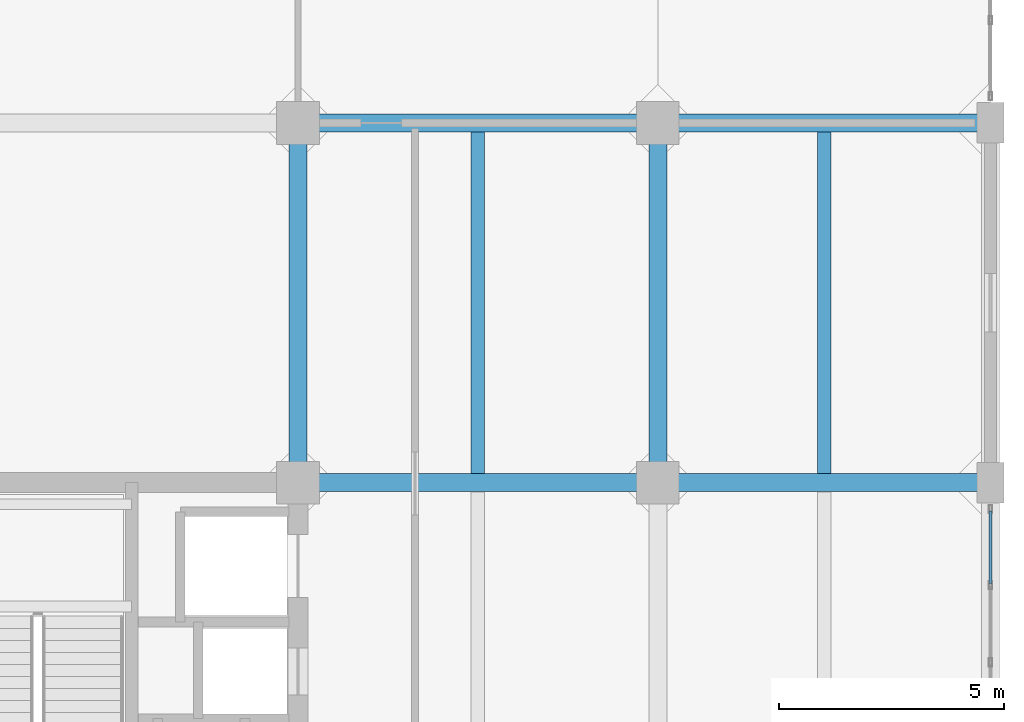
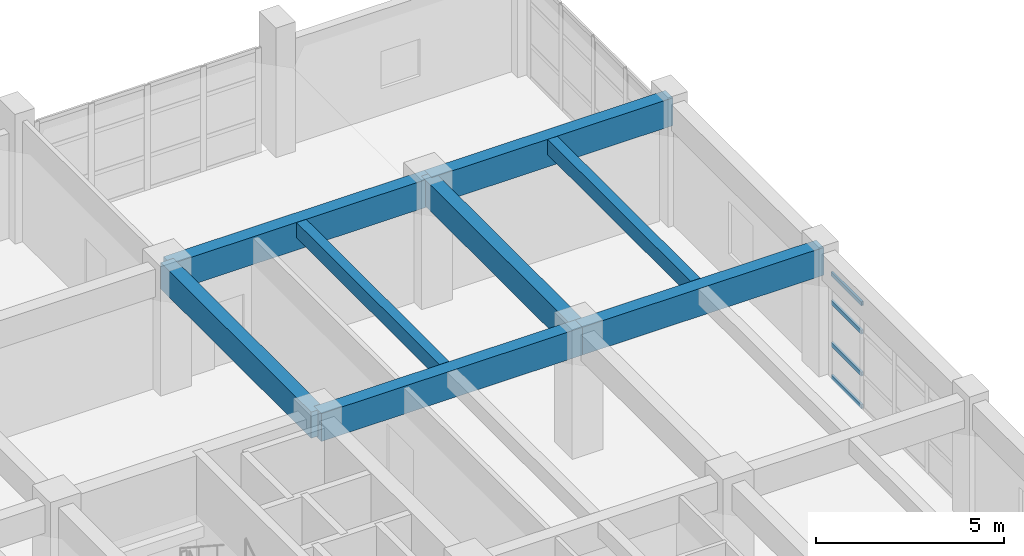
# One storey, part 18 of 35: 8 beams, 4 members, 1 element without a shape of its own.
"""IFC4 building model written with IfcOpenShell, lengths in metres."""

from ifc_helpers import new_model, si_unit, direction, frame, origin, origin_2d, place, context, subcontext, project, spatial, rectangle, hollow_rectangle, extrude, material, layer, layer_set, material_profile, profile_set, type_object, element, aggregate, save


model = new_model("IFC4")

# Units and contexts
model_context = context("Model", 3, precision=1e-05, world=origin(), true_north=direction((0.0, 1.0)))
body_context = subcontext(model_context, "Body", "Model", "MODEL_VIEW")
ifc_project = project(units=[si_unit("LENGTHUNIT", "METRE"), si_unit("AREAUNIT", "SQUARE_METRE"), si_unit("VOLUMEUNIT", "CUBIC_METRE"), si_unit("PLANEANGLEUNIT", "RADIAN"), si_unit("MASSUNIT", "GRAM", prefix="KILO")], contexts=[model_context])

# Site, building, storey
site_placement = place(None, origin())
site = spatial("IfcSite", under=ifc_project, at=site_placement, CompositionType="ELEMENT")
building_placement = place(site_placement, origin())
building = spatial("IfcBuilding", under=site, at=building_placement, Name="Canggui Botanical Conservatory", CompositionType="ELEMENT")
storey_placement = place(building_placement, frame((0.0, 0.0, 15.0)))
storey = spatial("IfcBuildingStorey", under=building, at=storey_placement, Name="L04", CompositionType="ELEMENT", Elevation=15.0)

# Beams
ifc_material_1 = material(Name="Concrete C35", Category="concrete")
ifc_material_profile_1 = material_profile(ifc_material_1, rectangle(XDim=0.300048828125, YDim=0.5, at=origin_2d()), Name="RB 300x500")
ifc_profile_set_1 = profile_set([ifc_material_profile_1], Name="Concrete C35")
beam_type_1 = type_object("IfcBeamType", Name="BM-JST02", PredefinedType="JOIST", material=ifc_profile_set_1)
for number, where, z_axis, x_axis, name in (
    (1, (166.0, 66.205078125, 3.699951171875), (0.0, 1.0, 0.0), (-1.0, 0.0, 0.0), "Secondary Floor Joist L04-4-6"),
    (2, (173.699951171875, 66.205078125, 3.699951171875), (0.0, 1.0, 0.0), (-1.0, 0.0, 0.0), "Secondary Floor Joist L04-5-6"),
):
    element("IfcBeam", number, at=place(storey_placement, frame(where, z_axis=z_axis, x_axis=x_axis)), inside=storey, type_object=beam_type_1, Name=name, PredefinedType="JOIST", context=body_context, shape_type="SweptSolid", body=[
        extrude(rectangle(XDim=0.300048828125, YDim=0.5, at=origin_2d()), origin(), (0.0, 0.0, 1.0), 7.58984375),
    ])
ifc_material_profile_2 = material_profile(ifc_material_1, rectangle(XDim=0.39990234375, YDim=0.89990234375, at=origin_2d()), Name="RB 400x900")
ifc_profile_set_2 = profile_set([ifc_material_profile_2], Name="Concrete C35")
beam_type_2 = type_object("IfcBeamType", Name="BM-KL07", PredefinedType="BEAM", material=ifc_profile_set_2)
beam_1_placement = place(storey_placement, frame((162.0, 66.0, 3.5), z_axis=(1.0, 0.0, 0.0), x_axis=(0.0, 1.0, 0.0)))
element("IfcBeam", 3, at=beam_1_placement, inside=storey, type_object=beam_type_2, Name="Frame Girder L04 Y66-4", PredefinedType="BEAM", context=body_context, shape_type="SweptSolid", body=[
    extrude(rectangle(XDim=0.39990234375, YDim=0.89990234375, at=origin_2d()), origin(), (0.0, 0.0, 1.0), 8.0),
])
beam_2_placement = place(storey_placement, frame((170.0, 66.0, 3.5), z_axis=(1.0, 0.0, 0.0), x_axis=(0.0, 1.0, 0.0)))
element("IfcBeam", 4, at=beam_2_placement, inside=storey, type_object=beam_type_2, Name="Frame Girder L04 Y66-5", PredefinedType="BEAM", context=body_context, shape_type="SweptSolid", body=[
    extrude(rectangle(XDim=0.39990234375, YDim=0.89990234375, at=origin_2d()), origin(), (0.0, 0.0, 1.0), 7.39990234375),
])
beam_3_placement = place(storey_placement, frame((162.0, 74.0, 3.5), z_axis=(1.0, 0.0, 0.0), x_axis=(0.0, 1.0, 0.0)))
element("IfcBeam", 5, at=beam_3_placement, inside=storey, type_object=beam_type_2, Name="Frame Girder L04 Y74-4", PredefinedType="BEAM", context=body_context, shape_type="SweptSolid", body=[
    extrude(rectangle(XDim=0.39990234375, YDim=0.89990234375, at=origin_2d()), origin(), (0.0, 0.0, 1.0), 8.0),
])
beam_4_placement = place(storey_placement, frame((170.0, 74.0, 3.5), z_axis=(1.0, 0.0, 0.0), x_axis=(0.0, 1.0, 0.0)))
element("IfcBeam", 6, at=beam_4_placement, inside=storey, type_object=beam_type_2, Name="Frame Girder L04 Y74-5", PredefinedType="BEAM", context=body_context, shape_type="SweptSolid", body=[
    extrude(rectangle(XDim=0.39990234375, YDim=0.89990234375, at=origin_2d()), origin(), (0.0, 0.0, 1.0), 7.39990234375),
])
ifc_material_profile_3 = material_profile(ifc_material_1, rectangle(XDim=0.39990234375, YDim=0.85009765625, at=origin_2d()), Name="RB 400x850")
ifc_profile_set_3 = profile_set([ifc_material_profile_3], Name="Concrete C35")
beam_type_3 = type_object("IfcBeamType", Name="BM-KL08", PredefinedType="BEAM", material=ifc_profile_set_3)
for number, where, z_axis, x_axis, name in (
    (7, (162.0, 66.0, 3.52490234375), (0.0, 1.0, 0.0), (-1.0, 0.0, 0.0), "Frame Girder L04 X162-6"),
    (8, (170.0, 66.0, 3.52490234375), (0.0, 1.0, 0.0), (-1.0, 0.0, 0.0), "Frame Girder L04 X170-6"),
):
    element("IfcBeam", number, at=place(storey_placement, frame(where, z_axis=z_axis, x_axis=x_axis)), inside=storey, type_object=beam_type_3, Name=name, PredefinedType="BEAM", context=body_context, shape_type="SweptSolid", body=[
        extrude(rectangle(XDim=0.39990234375, YDim=0.85009765625, at=origin_2d()), origin(), (0.0, 0.0, 1.0), 8.0),
    ])

# Curtain wall, members
ifc_material_2 = material(Name="Thermally Broken Aluminium", Category="aluminium")
ifc_layer = layer(ifc_material_2, 0.179931640625, Name="Thermally Broken Aluminium", Category="aluminium")
ifc_layer_set = layer_set([ifc_layer], Name="Thermally Broken Aluminium")
curtain_wall_type = type_object("IfcCurtainWallType", Name="CW-UNIT-A", PredefinedType="USERDEFINED", material=ifc_layer_set)
curtain_wall_placement = place(storey_placement, origin())
curtain_wall = element("IfcCurtainWall", 9, at=curtain_wall_placement, inside=storey, type_object=curtain_wall_type, Name="Facade Curtain Wall CW-TWR-L04-20", ObjectType="UNITISED CURTAIN WALL", PredefinedType="USERDEFINED")
ifc_material_profile_4 = material_profile(ifc_material_2, hollow_rectangle(XDim=0.06494140625, YDim=0.1298828125, WallThickness=0.00341796875, at=origin_2d()), Name="CWT 65x130x3.5")
ifc_profile_set_4 = profile_set([ifc_material_profile_4], Name="Thermally Broken Aluminium")
member_type = type_object("IfcMemberType", Name="CWT-01", PredefinedType="USERDEFINED", material=ifc_profile_set_4)
member_1_placement = place(storey_placement, frame((177.39990234375, 65.3701171875, 0.032470703125), z_axis=(0.0, -1.0, 0.0), x_axis=(1.0, 0.0, 0.0)))
member_1 = element("IfcMember", 10, at=member_1_placement, type_object=member_type, Name="CW-01 transom 1.1", ObjectType="TRANSOM", PredefinedType="USERDEFINED", context=body_context, shape_type="SweptSolid", body=[
    extrude(hollow_rectangle(XDim=0.06494140625, YDim=0.1298828125, WallThickness=0.00341796875, at=origin_2d()), origin(), (0.0, 0.0, 1.0), 1.615234375),
])
member_2_placement = place(storey_placement, frame((177.39990234375, 65.3701171875, 1.087890625), z_axis=(0.0, -1.0, 0.0), x_axis=(1.0, 0.0, 0.0)))
member_2 = element("IfcMember", 11, at=member_2_placement, type_object=member_type, Name="CW-01 transom 1.2", ObjectType="TRANSOM", PredefinedType="USERDEFINED", context=body_context, shape_type="SweptSolid", body=[
    extrude(hollow_rectangle(XDim=0.06494140625, YDim=0.1298828125, WallThickness=0.00341796875, at=origin_2d()), origin(), (0.0, 0.0, 1.0), 1.615234375),
])
member_3_placement = place(storey_placement, frame((177.39990234375, 65.3701171875, 2.447998046875), z_axis=(0.0, -1.0, 0.0), x_axis=(1.0, 0.0, 0.0)))
member_3 = element("IfcMember", 12, at=member_3_placement, type_object=member_type, Name="CW-01 transom 1.3", ObjectType="TRANSOM", PredefinedType="USERDEFINED", context=body_context, shape_type="SweptSolid", body=[
    extrude(hollow_rectangle(XDim=0.06494140625, YDim=0.1298828125, WallThickness=0.00341796875, at=origin_2d()), origin(), (0.0, 0.0, 1.0), 1.615234375),
])
member_4_placement = place(storey_placement, frame((177.39990234375, 65.3701171875, 3.367431640625), z_axis=(0.0, -1.0, 0.0), x_axis=(1.0, 0.0, 0.0)))
member_4 = element("IfcMember", 13, at=member_4_placement, type_object=member_type, Name="CW-01 transom 1.4", ObjectType="TRANSOM", PredefinedType="USERDEFINED", context=body_context, shape_type="SweptSolid", body=[
    extrude(hollow_rectangle(XDim=0.06494140625, YDim=0.1298828125, WallThickness=0.00341796875, at=origin_2d()), origin(), (0.0, 0.0, 1.0), 1.615234375),
])
aggregate(curtain_wall, [member_1, member_2, member_3, member_4])

save(model, "model.ifc")
